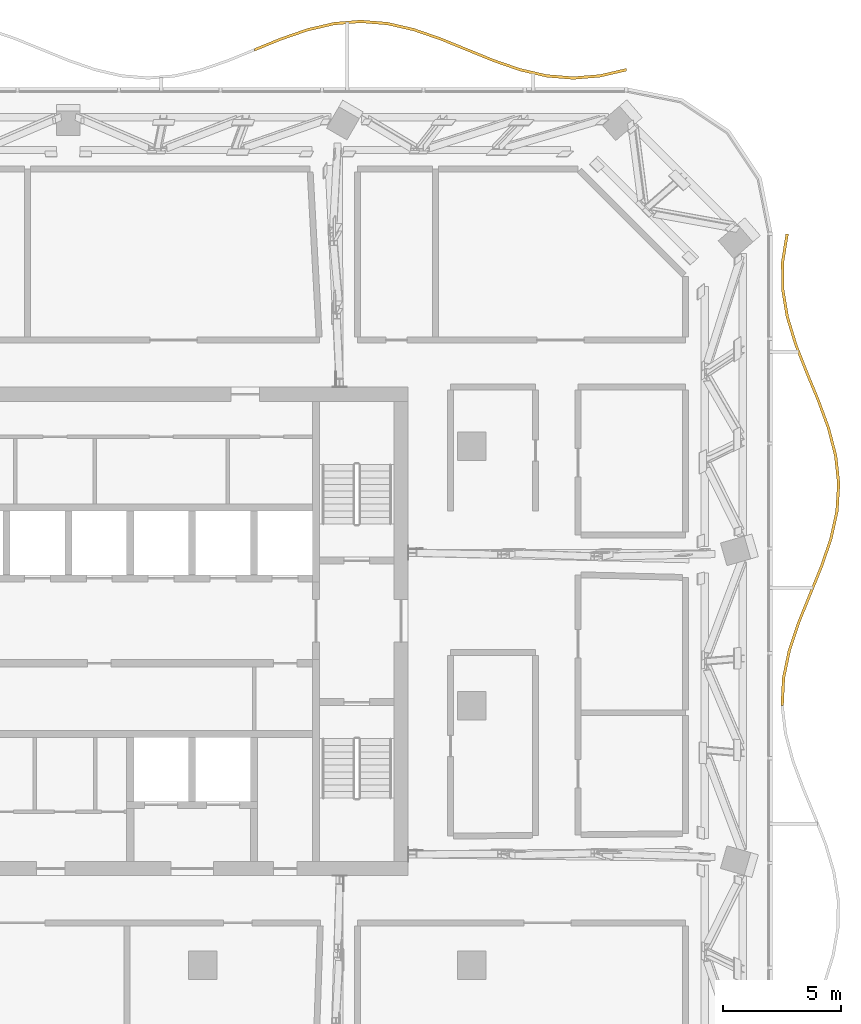
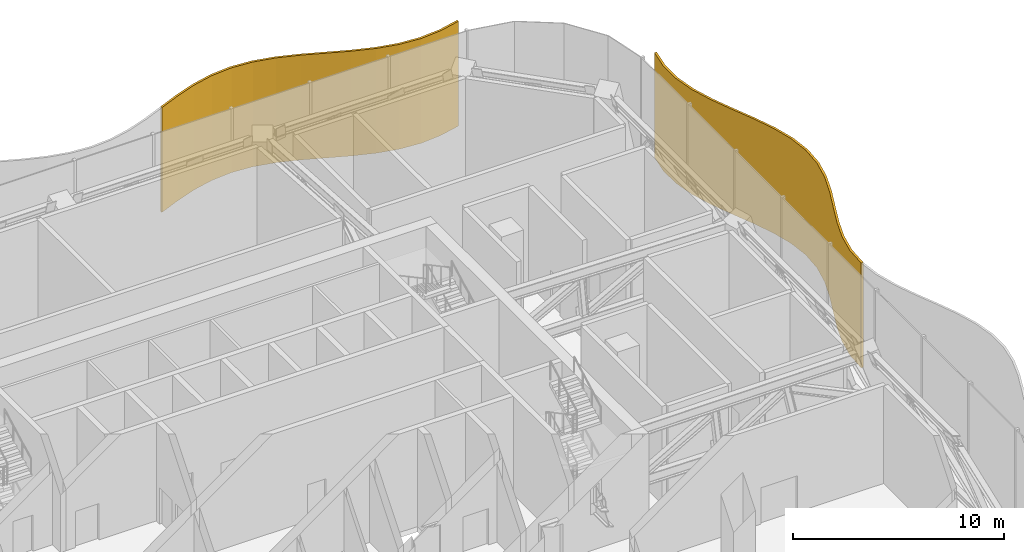
# One storey, part 29 of 29: 2 shading devices.
"""IFC4 building model written with IfcOpenShell, lengths in metres."""

import ifcopenshell
import ifcopenshell.guid

model = None  # the IFC model being written
_history = None  # IfcOwnerHistory: only IFC2X3 demands one
_inside = {}  # id of a spatial element -> (the spatial element, [elements in it])
_under = {}  # id of a project, library or spatial element -> (it, [spatial elements below it])
_declared = {}  # id of a project -> (the project, [libraries it declares])
_typed = {}  # id of a type object -> (the type object, [elements of that type])
_made_of = {}  # id of a material, layer set ... -> (it, [elements and type objects made of it])


def new_model(schema):
    """Start an empty IFC model of exactly this schema.

    Asked for "IFC4X3", IfcOpenShell would pick the latest addendum, in which some entities
    have other attributes; the version numbers below select the first issue.
    IFC2X3 requires an IfcOwnerHistory on every rooted entity: one is made here for all.
    """
    global model, _history
    if schema == "IFC4X3":
        model = ifcopenshell.file(schema_version=(4, 3, 0, 0))
    else:
        model = ifcopenshell.file(schema=schema)
    _inside.clear()
    _under.clear()
    _declared.clear()
    _typed.clear()
    _made_of.clear()
    _history = None
    if model.schema == "IFC2X3":
        org = make("IfcOrganization", Name="unknown")
        user = make(
            "IfcPersonAndOrganization",
            ThePerson=make("IfcPerson", FamilyName="unknown"),
            TheOrganization=org,
        )
        app = make(
            "IfcApplication",
            ApplicationDeveloper=org,
            Version="unknown",
            ApplicationFullName="unknown",
            ApplicationIdentifier="unknown",
        )
        _history = make(
            "IfcOwnerHistory",
            OwningUser=user,
            OwningApplication=app,
            ChangeAction="ADDED",
            CreationDate=0,
        )
    return model


def make(cls, **values):
    """One entity of the class cls with the attributes given. An attribute that is None is left unset."""
    return model.create_entity(
        cls, **{name: value for name, value in values.items() if value is not None}
    )


def rooted(cls, **values):
    """An entity with a GlobalId (a new one), such as an element, a storey or a relation."""
    return make(cls, GlobalId=ifcopenshell.guid.new(), OwnerHistory=_history, **values)


def si_unit(unit_type, name, prefix=None):
    """IfcSIUnit, for example si_unit("LENGTHUNIT", "METRE", prefix="MILLI")."""
    return make("IfcSIUnit", UnitType=unit_type, Prefix=prefix, Name=name)


def assignment(units):
    """IfcUnitAssignment: the units of a project."""
    return None if units is None else make("IfcUnitAssignment", Units=units)


def point(xyz):
    """IfcCartesianPoint."""
    return None if xyz is None else make("IfcCartesianPoint", Coordinates=xyz)


def direction(xyz):
    """IfcDirection."""
    return None if xyz is None else make("IfcDirection", DirectionRatios=xyz)


def frame(location, z_axis=None, x_axis=None):
    """IfcAxis2Placement3D, a coordinate frame: its origin and axes. An axis left out is left unset."""
    return make(
        "IfcAxis2Placement3D",
        Location=point(location),
        Axis=direction(z_axis),
        RefDirection=direction(x_axis),
    )


def origin():
    """The frame at (0, 0, 0) with its axes left unset."""
    return frame((0.0, 0.0, 0.0))


def place(relative_to, where):
    """IfcLocalPlacement: puts the frame where relative to a parent placement (None: the world)."""
    return make(
        "IfcLocalPlacement", PlacementRelTo=relative_to, RelativePlacement=where
    )


def context(
    kind, dimensions, precision=None, world=None, true_north=None, identifier=None
):
    """IfcGeometricRepresentationContext, for example the 3D "Model" context."""
    return make(
        "IfcGeometricRepresentationContext",
        ContextIdentifier=identifier,
        ContextType=kind,
        CoordinateSpaceDimension=dimensions,
        Precision=precision,
        WorldCoordinateSystem=world,
        TrueNorth=true_north,
    )


def subcontext(parent, identifier, kind, view, scale=None):
    """IfcGeometricRepresentationSubContext, for example "Body" below "Model"."""
    return make(
        "IfcGeometricRepresentationSubContext",
        ContextIdentifier=identifier,
        ContextType=kind,
        ParentContext=parent,
        TargetScale=scale,
        TargetView=view,
    )


def project(units=None, contexts=None):
    """IfcProject with its units and contexts."""
    return rooted(
        "IfcProject",
        Name="project",
        RepresentationContexts=contexts,
        UnitsInContext=assignment(units),
    )


def spatial(cls, under=None, at=None, **own):
    """A site, building, storey or space (cls), placed at a placement, below another one or the project."""
    s = rooted(cls, ObjectPlacement=at, **own)
    if under is not None:
        _under.setdefault(under.id(), (under, []))[1].append(s)
    return s


def polyline(points):
    """IfcPolyline through the points."""
    return make("IfcPolyline", Points=[point(p) for p in points])


def outline(outer, holes=None, kind="AREA"):
    """IfcArbitraryClosedProfileDef: a profile drawn as a closed curve; with holes, ...WithVoids."""
    if holes is None:
        return make("IfcArbitraryClosedProfileDef", ProfileType=kind, OuterCurve=outer)
    return make(
        "IfcArbitraryProfileDefWithVoids",
        ProfileType=kind,
        OuterCurve=outer,
        InnerCurves=holes,
    )


def extrude(swept, where, along, depth):
    """IfcExtrudedAreaSolid: the profile swept, set in the frame where, extruded along a direction by depth."""
    return make(
        "IfcExtrudedAreaSolid",
        SweptArea=swept,
        Position=where,
        ExtrudedDirection=direction(along),
        Depth=depth,
    )


def shape(context_of_items, identifier, shape_type, items):
    """IfcShapeRepresentation: the items that make up one representation, for example the "Body"."""
    return make(
        "IfcShapeRepresentation",
        ContextOfItems=context_of_items,
        RepresentationIdentifier=identifier,
        RepresentationType=shape_type,
        Items=items,
    )


def material(Name=None, Category=None):
    """IfcMaterial."""
    return make("IfcMaterial", Name=Name, Category=Category)


def layer(
    of_material, thickness, ventilated=None, Name=None, Category=None, Priority=None
):
    """IfcMaterialLayer: one layer of a wall or slab, of a material (None: an air gap)."""
    return make(
        "IfcMaterialLayer",
        Material=of_material,
        LayerThickness=thickness,
        IsVentilated=ventilated,
        Name=Name,
        Category=Category,
        Priority=Priority,
    )


def layer_set(layers, Name=None):
    """IfcMaterialLayerSet."""
    return make("IfcMaterialLayerSet", MaterialLayers=layers, LayerSetName=Name)


def made_of(thing, what):
    """Note that an element or type object is made of a material, layer set ...; save() writes the relation."""
    if what is not None:
        _made_of.setdefault(what.id(), (what, []))[1].append(thing)
    return thing


def type_object(cls, material=None, **own):
    """A type object (cls), such as IfcWallType, which elements share."""
    return made_of(rooted(cls, **own), material)


def element(
    cls,
    number,
    at=None,
    inside=None,
    cuts=None,
    type_object=None,
    material=None,
    context=None,
    identifier="Body",
    shape_type=None,
    held_by="IfcProductDefinitionShape",
    body=None,
    shapes=None,
    **own,
):
    """One element of the class cls, such as IfcWall. Its Tag is "e" and its number.

    at: its placement. inside: the storey or other place that contains it. cuts: it is an
    opening in that element (IfcRelVoidsElement). A single representation is given by context,
    identifier, shape_type and body (its items); several are given by shapes. held_by: the class
    of the entity that holds the representations. save() writes the other relations.
    """
    e = rooted(cls, Tag="e%d" % number, ObjectPlacement=at, **own)
    if body is not None:
        shapes = [shape(context, identifier, shape_type, body)]
    if shapes is not None:
        e.Representation = make(held_by, Representations=shapes)
    if inside is not None:
        _inside.setdefault(inside.id(), (inside, []))[1].append(e)
    if cuts is not None:
        rooted(
            "IfcRelVoidsElement", RelatingBuildingElement=cuts, RelatedOpeningElement=e
        )
    if type_object is not None:
        _typed.setdefault(type_object.id(), (type_object, []))[1].append(e)
    return made_of(e, material)


def aggregate(whole, parts):
    """IfcRelAggregates: a whole, such as a stair, and the parts it consists of."""
    return rooted("IfcRelAggregates", RelatingObject=whole, RelatedObjects=parts)


def save(model, path):
    """Write the relations noted so far, then the file.

    IfcRelAggregates (storeys below a building ...), IfcRelContainedInSpatialStructure (elements
    in a storey), IfcRelDefinesByType, IfcRelAssociatesMaterial and IfcRelDeclares: one each for
    every whole, place, type object, material and project.
    """
    for whole, parts in _under.values():
        aggregate(whole, parts)
    for where, things in _inside.values():
        rooted(
            "IfcRelContainedInSpatialStructure",
            RelatedElements=things,
            RelatingStructure=where,
        )
    for kind, things in _typed.values():
        rooted("IfcRelDefinesByType", RelatedObjects=things, RelatingType=kind)
    for what, things in _made_of.values():
        rooted("IfcRelAssociatesMaterial", RelatedObjects=things, RelatingMaterial=what)
    for by, libraries in _declared.values():
        rooted("IfcRelDeclares", RelatingContext=by, RelatedDefinitions=libraries)
    model.write(path)


model = new_model("IFC4")

# Units and contexts
model_context = context("Model", 3, precision=1e-05, world=origin(), true_north=direction((0.0, 1.0)))
body_context = subcontext(model_context, "Body", "Model", "MODEL_VIEW")
ifc_project = project(units=[si_unit("LENGTHUNIT", "METRE"), si_unit("AREAUNIT", "SQUARE_METRE"), si_unit("VOLUMEUNIT", "CUBIC_METRE"), si_unit("PLANEANGLEUNIT", "RADIAN"), si_unit("MASSUNIT", "GRAM", prefix="KILO")], contexts=[model_context])

# Site, building, storey
site_placement = place(None, origin())
site = spatial("IfcSite", under=ifc_project, at=site_placement, CompositionType="ELEMENT")
building_placement = place(site_placement, origin())
building = spatial("IfcBuilding", under=site, at=building_placement, Name="Mopane Tessera Tower", CompositionType="ELEMENT")
storey_placement = place(building_placement, frame((0.0, 0.0, 315.39990234375)))
storey = spatial("IfcBuildingStorey", under=building, at=storey_placement, Name="L69", CompositionType="ELEMENT", Elevation=315.39990234375)

# Shading devices
ifc_material = material(Name="Anodised aluminium louvre blades", Category="aluminium")
ifc_layer = layer(ifc_material, 0.1201171875)
ifc_layer_set = layer_set([ifc_layer], Name="Anodised aluminium louvre blades")
shading_device_type = type_object("IfcShadingDeviceType", Name="Wave louvre screen", PredefinedType="JALOUSIE", material=ifc_layer_set)
shading_device_1_placement = place(storey_placement, frame((0.0, 0.0, -0.419921875)))
element("IfcShadingDevice", 1, at=shading_device_1_placement, inside=storey, type_object=shading_device_type, Name="e:lv:L69:E:1", PredefinedType="JALOUSIE", context=body_context, shape_type="SweptSolid", body=[
    extrude(outline(polyline([(30.194580078125, 0.0), (30.252197265625, 1.176513671875), (30.4990234375, 2.35302734375), (30.89404296875, 3.529296875), (31.37158203125, 4.705810546875), (31.85205078125, 5.88232421875), (32.255859375, 7.058837890625), (32.515625, 8.2353515625), (32.588134765625, 9.411865234375), (32.46142578125, 10.588134765625), (32.156494140625, 11.7646484375), (31.724365234375, 12.941162109375), (31.236328125, 14.11767578125), (30.774169921875, 15.294189453125), (30.4140625, 16.470703125), (30.216552734375, 17.64697265625), (30.2138671875, 18.823486328125), (30.406982421875, 20.0), (30.527099609375, 20.0), (30.333984375, 18.823486328125), (30.33642578125, 17.64697265625), (30.5341796875, 16.470703125), (30.89404296875, 15.294189453125), (31.3564453125, 14.11767578125), (31.84423828125, 12.941162109375), (32.276611328125, 11.7646484375), (32.58154296875, 10.588134765625), (32.7080078125, 9.411865234375), (32.635498046875, 8.2353515625), (32.375732421875, 7.058837890625), (31.97216796875, 5.88232421875), (31.491455078125, 4.705810546875), (31.01416015625, 3.529296875), (30.619140625, 2.35302734375), (30.372314453125, 1.176513671875), (30.314453125, 0.0), (30.194580078125, 0.0)])), origin(), (0.0, 0.0, 1.0), 6.070068359375),
])
shading_device_2_placement = place(storey_placement, frame((0.0, 0.0, -0.419921875)))
element("IfcShadingDevice", 2, at=shading_device_2_placement, inside=storey, type_object=shading_device_type, Name="e:lv:L69:N:0", PredefinedType="JALOUSIE", context=body_context, shape_type="SweptSolid", body=[
    extrude(outline(polyline([(23.64990234375, 26.891357421875), (22.52392578125, 26.631103515625), (21.397705078125, 26.5400390625), (20.271484375, 26.6318359375), (19.145263671875, 26.892822265625), (18.01904296875, 27.283203125), (16.892822265625, 27.742919921875), (15.7666015625, 28.202392578125), (14.640380859375, 28.59130859375), (13.514404296875, 28.850341796875), (12.38818359375, 28.93994140625), (11.261962890625, 28.846435546875), (10.1357421875, 28.584228515625), (9.009521484375, 28.193115234375), (7.88330078125, 27.73291015625), (7.88330078125, 27.85302734375), (9.009521484375, 28.313232421875), (10.1357421875, 28.704345703125), (11.261962890625, 28.966552734375), (12.38818359375, 29.06005859375), (13.514404296875, 28.970458984375), (14.640380859375, 28.71142578125), (15.7666015625, 28.322509765625), (16.892822265625, 27.863037109375), (18.01904296875, 27.403076171875), (19.145263671875, 27.012939453125), (20.271484375, 26.751953125), (21.397705078125, 26.659912109375), (22.52392578125, 26.751220703125), (23.64990234375, 27.011474609375), (23.64990234375, 26.891357421875)])), origin(), (0.0, 0.0, 1.0), 6.070068359375),
])

save(model, "model.ifc")
